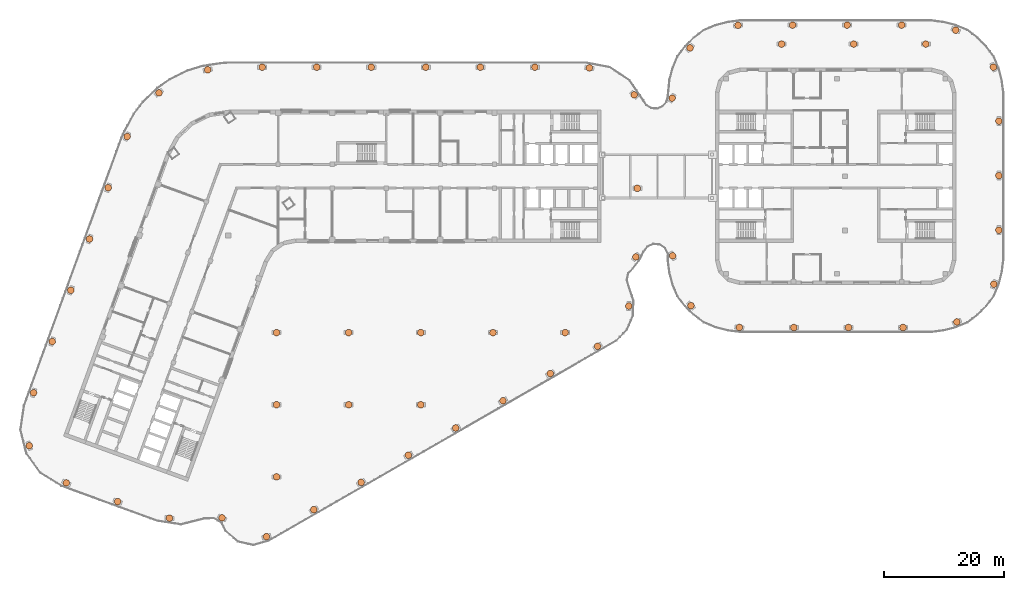
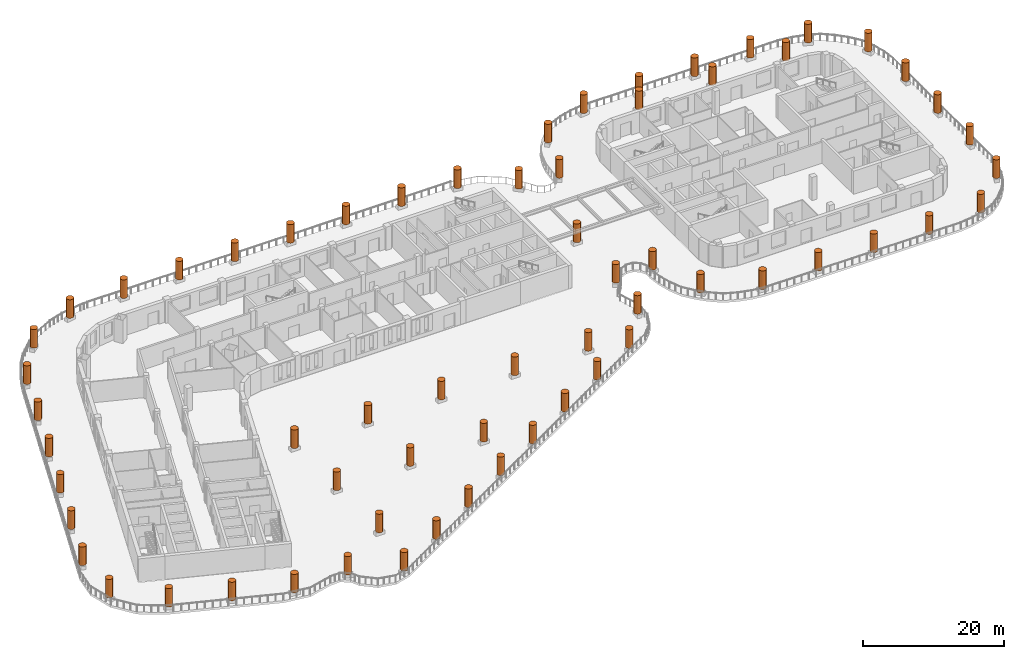
# One storey, part 18 of 18: 63 geographic elements.
"""IFC4 building model written with IfcOpenShell, lengths in metres."""

from ifc_helpers import new_model, si_unit, direction, frame, origin, origin_2d, place, context, subcontext, project, spatial, circle, extrude, element, save


model = new_model("IFC4")

# Units and contexts
model_context = context("Model", 3, precision=1e-05, world=origin(), true_north=direction((0.0, 1.0)))
body_context = subcontext(model_context, "Body", "Model", "MODEL_VIEW")
ifc_project = project(units=[si_unit("LENGTHUNIT", "METRE"), si_unit("AREAUNIT", "SQUARE_METRE"), si_unit("VOLUMEUNIT", "CUBIC_METRE"), si_unit("PLANEANGLEUNIT", "RADIAN"), si_unit("MASSUNIT", "GRAM", prefix="KILO")], contexts=[model_context])

# Site, building, storey
site_placement = place(None, origin())
site = spatial("IfcSite", under=ifc_project, at=site_placement, CompositionType="ELEMENT")
building_placement = place(site_placement, origin())
building = spatial("IfcBuilding", under=site, at=building_placement, Name="Skarvind Civic Tower", CompositionType="ELEMENT")
storey_placement = place(building_placement, frame((0.0, 0.0, 27.5)))
storey = spatial("IfcBuildingStorey", under=building, at=storey_placement, Name="L05", CompositionType="ELEMENT", Elevation=27.5)

# Geographic elements
for number, where, z_axis, x_axis, name in (
    (1, (44.92919921875, 71.192626953125, 0.60009765625), (0.0, 0.0, 1.0), (1.0, 0.0, 0.0), "PODIUM ROOF TERRACE TREE"),
    (2, (36.18701171875, 71.144287109375, 0.60009765625), (0.0, 0.0, 1.0), (1.0, 0.0, 0.0), "PODIUM ROOF TERRACE TREE"),
    (3, (27.56689453125, 73.891357421875, 0.60009765625), (0.0, 0.0, 1.0), (1.0, 0.0, 0.0), "PODIUM ROOF TERRACE TREE"),
    (4, (19.0380859375, 76.99560546875, 0.60009765625), (0.0, 0.0, 1.0), (1.0, 0.0, 0.0), "PODIUM ROOF TERRACE TREE"),
    (5, (12.85986328125, 83.180419921875, 0.60009765625), (0.0, 0.0, 1.0), (1.0, 0.0, 0.0), "PODIUM ROOF TERRACE TREE"),
    (6, (13.57763671875, 91.9873046875, 0.60009765625), (0.0, 0.0, 1.0), (1.0, 0.0, 0.0), "PODIUM ROOF TERRACE TREE"),
    (7, (16.681884765625, 100.515869140625, 0.60009765625), (0.0, 0.0, 1.0), (1.0, 0.0, 0.0), "PODIUM ROOF TERRACE TREE"),
    (8, (19.785888671875, 109.044677734375, 0.60009765625), (0.0, 0.0, 1.0), (1.0, 0.0, 0.0), "PODIUM ROOF TERRACE TREE"),
    (9, (22.89013671875, 117.5732421875, 0.60009765625), (0.0, 0.0, 1.0), (1.0, 0.0, 0.0), "PODIUM ROOF TERRACE TREE"),
    (10, (25.994384765625, 126.10205078125, 0.60009765625), (0.0, 0.0, 1.0), (1.0, 0.0, 0.0), "PODIUM ROOF TERRACE TREE"),
    (11, (29.139404296875, 134.6142578125, 0.60009765625), (0.0, 0.0, 1.0), (1.0, 0.0, 0.0), "PODIUM ROOF TERRACE TREE"),
    (12, (34.44189453125, 141.87451171875, 0.60009765625), (0.0, 0.0, 1.0), (1.0, 0.0, 0.0), "PODIUM ROOF TERRACE TREE"),
    (13, (42.55224609375, 145.70166015625, 0.60009765625), (0.0, 0.0, 1.0), (1.0, 0.0, 0.0), "PODIUM ROOF TERRACE TREE"),
    (14, (51.598388671875, 146.14990234375, 0.60009765625), (0.0, 0.0, 1.0), (1.0, 0.0, 0.0), "PODIUM ROOF TERRACE TREE"),
    (15, (60.67431640625, 146.14990234375, 0.60009765625), (0.0, 0.0, 1.0), (1.0, 0.0, 0.0), "PODIUM ROOF TERRACE TREE"),
    (16, (69.75048828125, 146.14990234375, 0.60009765625), (0.0, 0.0, 1.0), (1.0, 0.0, 0.0), "PODIUM ROOF TERRACE TREE"),
    (17, (78.82666015625, 146.14990234375, 0.60009765625), (0.0, 0.0, 1.0), (1.0, 0.0, 0.0), "PODIUM ROOF TERRACE TREE"),
    (18, (87.902587890625, 146.14990234375, 0.60009765625), (0.0, 0.0, 1.0), (1.0, 0.0, 0.0), "PODIUM ROOF TERRACE TREE"),
    (19, (96.978759765625, 146.14990234375, 0.60009765625), (0.0, 0.0, 1.0), (1.0, 0.0, 0.0), "PODIUM ROOF TERRACE TREE"),
    (20, (106.04248046875, 146.024169921875, 0.60009765625), (0.0, 0.0, 1.0), (1.0, 0.0, 0.0), "PODIUM ROOF TERRACE TREE"),
    (21, (113.47998046875, 141.546875, 0.60009765625), (0.0, 0.0, 1.0), (1.0, 0.0, 0.0), "PODIUM ROOF TERRACE TREE"),
    (22, (119.797119140625, 141.006103515625, 0.60009765625), (0.0, 0.0, 1.0), (1.0, 0.0, 0.0), "PODIUM ROOF TERRACE TREE"),
    (23, (122.7744140625, 149.35009765625, 0.60009765625), (0.0, 0.0, 1.0), (1.0, 0.0, 0.0), "PODIUM ROOF TERRACE TREE"),
    (24, (130.759521484375, 153.108154296875, 0.60009765625), (0.0, 0.0, 1.0), (1.0, 0.0, 0.0), "PODIUM ROOF TERRACE TREE"),
    (25, (139.832763671875, 153.14990234375, 0.60009765625), (0.0, 0.0, 1.0), (1.0, 0.0, 0.0), "PODIUM ROOF TERRACE TREE"),
    (26, (148.908935546875, 153.14990234375, 0.60009765625), (0.0, 0.0, 1.0), (1.0, 0.0, 0.0), "PODIUM ROOF TERRACE TREE"),
    (27, (157.985107421875, 153.14990234375, 0.60009765625), (0.0, 0.0, 1.0), (1.0, 0.0, 0.0), "PODIUM ROOF TERRACE TREE"),
    (28, (166.962890625, 152.3125, 0.60009765625), (0.0, 0.0, 1.0), (1.0, 0.0, 0.0), "PODIUM ROOF TERRACE TREE"),
    (29, (173.235107421875, 146.1494140625, 0.60009765625), (0.0, 0.0, 1.0), (1.0, 0.0, 0.0), "PODIUM ROOF TERRACE TREE"),
    (30, (174.14990234375, 137.18701171875, 0.60009765625), (0.0, 0.0, 1.0), (1.0, 0.0, 0.0), "PODIUM ROOF TERRACE TREE"),
    (31, (174.14990234375, 128.11083984375, 0.60009765625), (0.0, 0.0, 1.0), (1.0, 0.0, 0.0), "PODIUM ROOF TERRACE TREE"),
    (32, (174.14990234375, 119.034912109375, 0.60009765625), (0.0, 0.0, 1.0), (1.0, 0.0, 0.0), "PODIUM ROOF TERRACE TREE"),
    (33, (173.320068359375, 110.055419921875, 0.60009765625), (0.0, 0.0, 1.0), (1.0, 0.0, 0.0), "PODIUM ROOF TERRACE TREE"),
    (34, (167.167724609375, 103.772216796875, 0.60009765625), (0.0, 0.0, 1.0), (1.0, 0.0, 0.0), "PODIUM ROOF TERRACE TREE"),
    (35, (158.206787109375, 102.85009765625, 0.60009765625), (0.0, 0.0, 1.0), (1.0, 0.0, 0.0), "PODIUM ROOF TERRACE TREE"),
    (36, (149.130615234375, 102.85009765625, 0.60009765625), (0.0, 0.0, 1.0), (1.0, 0.0, 0.0), "PODIUM ROOF TERRACE TREE"),
    (37, (140.0546875, 102.85009765625, 0.60009765625), (0.0, 0.0, 1.0), (1.0, 0.0, 0.0), "PODIUM ROOF TERRACE TREE"),
    (38, (130.9794921875, 102.86279296875, 0.60009765625), (0.0, 0.0, 1.0), (1.0, 0.0, 0.0), "PODIUM ROOF TERRACE TREE"),
    (39, (122.93115234375, 106.4931640625, 0.60009765625), (0.0, 0.0, 1.0), (1.0, 0.0, 0.0), "PODIUM ROOF TERRACE TREE"),
    (40, (119.87744140625, 114.773193359375, 0.60009765625), (0.0, 0.0, 1.0), (1.0, 0.0, 0.0), "PODIUM ROOF TERRACE TREE"),
    (41, (113.77001953125, 114.58642578125, 0.60009765625), (0.0, 0.0, 1.0), (1.0, 0.0, 0.0), "PODIUM ROOF TERRACE TREE"),
    (42, (112.59326171875, 106.42431640625, 0.60009765625), (0.0, 0.0, 1.0), (1.0, 0.0, 0.0), "PODIUM ROOF TERRACE TREE"),
    (43, (107.389404296875, 99.718505859375, 0.60009765625), (0.0, 0.0, 1.0), (1.0, 0.0, 0.0), "PODIUM ROOF TERRACE TREE"),
    (44, (99.52294921875, 95.19091796875, 0.60009765625), (0.0, 0.0, 1.0), (1.0, 0.0, 0.0), "PODIUM ROOF TERRACE TREE"),
    (45, (91.65673828125, 90.66357421875, 0.60009765625), (0.0, 0.0, 1.0), (1.0, 0.0, 0.0), "PODIUM ROOF TERRACE TREE"),
    (46, (83.79052734375, 86.13623046875, 0.60009765625), (0.0, 0.0, 1.0), (1.0, 0.0, 0.0), "PODIUM ROOF TERRACE TREE"),
    (47, (75.92431640625, 81.60888671875, 0.60009765625), (0.0, 0.0, 1.0), (1.0, 0.0, 0.0), "PODIUM ROOF TERRACE TREE"),
    (48, (68.05810546875, 77.08154296875, 0.60009765625), (0.0, 0.0, 1.0), (1.0, 0.0, 0.0), "PODIUM ROOF TERRACE TREE"),
    (49, (60.19189453125, 72.55419921875, 0.60009765625), (0.0, 0.0, 1.0), (1.0, 0.0, 0.0), "PODIUM ROOF TERRACE TREE"),
    (50, (52.3154296875, 68.051025390625, 0.60009765625), (0.0, 0.0, 1.0), (1.0, 0.0, 0.0), "PODIUM ROOF TERRACE TREE"),
    (51, (54.0, 78.0, 0.60009765625), (0.0, 0.0, 1.0), (1.0, 0.0, 0.0), "PODIUM ROOF TERRACE TREE"),
    (52, (54.0, 90.0, 0.60009765625), (0.0, 0.0, 1.0), (1.0, 0.0, 0.0), "PODIUM ROOF TERRACE TREE"),
    (53, (54.0, 102.0, 0.60009765625), (0.0, 0.0, 1.0), (1.0, 0.0, 0.0), "PODIUM ROOF TERRACE TREE"),
    (54, (66.0, 90.0, 0.60009765625), (0.0, 0.0, 1.0), (1.0, 0.0, 0.0), "PODIUM ROOF TERRACE TREE"),
    (55, (66.0, 102.0, 0.60009765625), (0.0, 0.0, 1.0), (1.0, 0.0, 0.0), "PODIUM ROOF TERRACE TREE"),
    (56, (78.0, 90.0, 0.60009765625), (0.0, 0.0, 1.0), (1.0, 0.0, 0.0), "PODIUM ROOF TERRACE TREE"),
    (57, (78.0, 102.0, 0.60009765625), (0.0, 0.0, 1.0), (1.0, 0.0, 0.0), "PODIUM ROOF TERRACE TREE"),
    (58, (90.0, 102.0, 0.60009765625), (0.0, 0.0, 1.0), (1.0, 0.0, 0.0), "PODIUM ROOF TERRACE TREE"),
    (59, (102.0, 102.0, 0.60009765625), (0.0, 0.0, 1.0), (1.0, 0.0, 0.0), "PODIUM ROOF TERRACE TREE"),
    (60, (114.0, 126.0, 0.60009765625), (0.0, 0.0, 1.0), (1.0, 0.0, 0.0), "PODIUM ROOF TERRACE TREE"),
    (61, (138.0, 150.0, 0.60009765625), (0.0, 0.0, 1.0), (1.0, 0.0, 0.0), "PODIUM ROOF TERRACE TREE"),
    (62, (150.0, 150.0, 0.60009765625), (0.0, 0.0, 1.0), (1.0, 0.0, 0.0), "PODIUM ROOF TERRACE TREE"),
    (63, (162.0, 150.0, 0.60009765625), (0.0, 0.0, 1.0), (1.0, 0.0, 0.0), "PODIUM ROOF TERRACE TREE"),
):
    element("IfcGeographicElement", number, at=place(storey_placement, frame(where, z_axis=z_axis, x_axis=x_axis)), inside=storey, Name=name, ObjectType="TREE", PredefinedType="USERDEFINED", context=body_context, shape_type="SweptSolid", body=[
        extrude(circle(Radius=0.550048828125, at=origin_2d()), origin(), (0.0, 0.0, 1.0), 3.199951171875),
    ])

save(model, "model.ifc")
